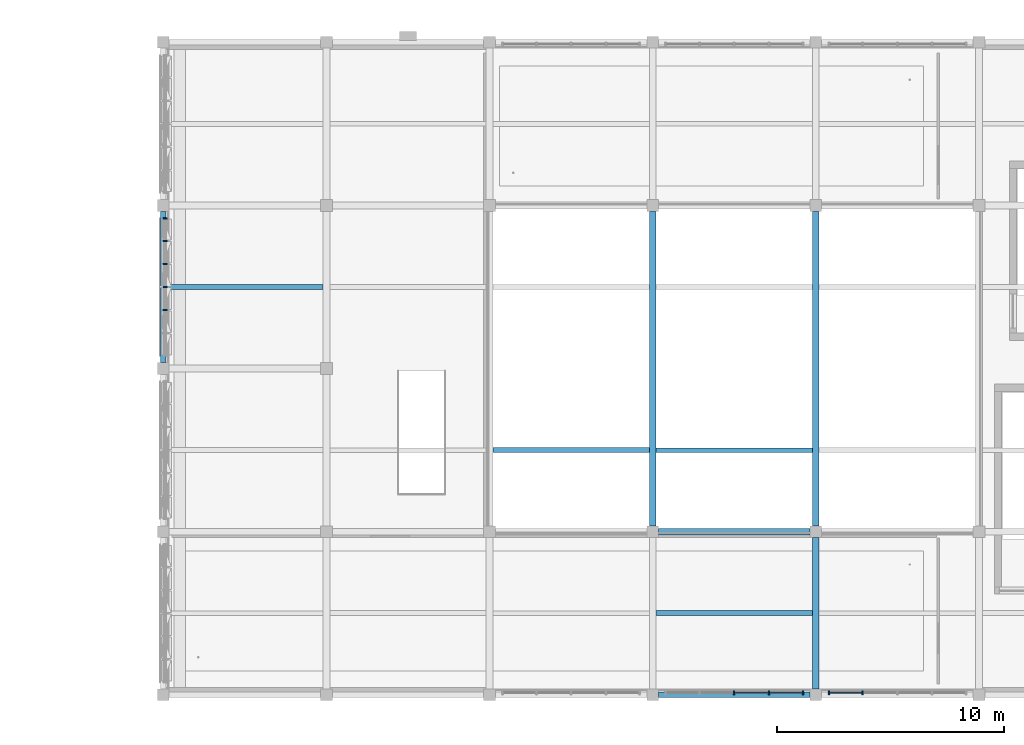
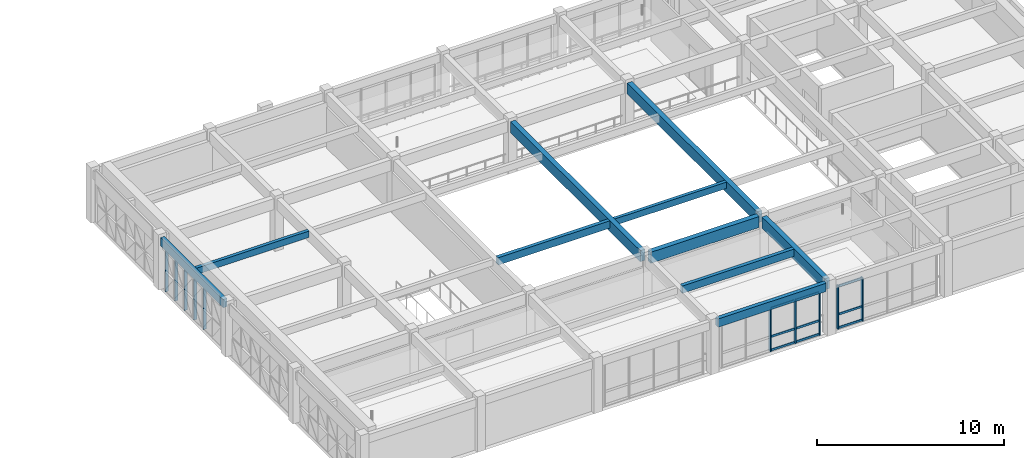
# One storey, part 10 of 74: 19 members, 10 beams, 3 elements without a shape of their own.
"""IFC4 building model written with IfcOpenShell, lengths in metres."""

from ifc_helpers import new_model, si_unit, direction, frame, origin, origin_2d, place, context, subcontext, project, spatial, rectangle, extrude, material, material_profile, profile_set, type_object, element, aggregate, save


model = new_model("IFC4")

# Units and contexts
model_context = context("Model", 3, precision=1e-05, world=origin(), true_north=direction((0.0, 1.0)))
body_context = subcontext(model_context, "Body", "Model", "MODEL_VIEW")
ifc_project = project(units=[si_unit("LENGTHUNIT", "METRE"), si_unit("AREAUNIT", "SQUARE_METRE"), si_unit("VOLUMEUNIT", "CUBIC_METRE"), si_unit("PLANEANGLEUNIT", "RADIAN"), si_unit("MASSUNIT", "GRAM", prefix="KILO")], contexts=[model_context])

# Site, building, storey
site_placement = place(None, origin())
site = spatial("IfcSite", under=ifc_project, at=site_placement, CompositionType="ELEMENT")
building_placement = place(site_placement, origin())
building = spatial("IfcBuilding", under=site, at=building_placement, Name="Alvorim Cloister Faculty of Sciences", CompositionType="ELEMENT")
storey_placement = place(building_placement, frame((0.0, 0.0, 15.75)))
storey = spatial("IfcBuildingStorey", under=building, at=storey_placement, Name="L04", CompositionType="ELEMENT", Elevation=15.75)

# Beams
ifc_material_1 = material(Name="Glulam GL32h", Category="wood")
ifc_material_profile_1 = material_profile(ifc_material_1, rectangle(XDim=0.300048828125, YDim=0.719970703125, at=origin_2d()), Name="GL32-BM-300x720")
ifc_profile_set_1 = profile_set([ifc_material_profile_1], Name="Glulam GL32h")
beam_type_1 = type_object("IfcBeamType", Name="BM-GL-300x720", PredefinedType="BEAM", material=ifc_profile_set_1)
beam_1_placement = place(storey_placement, frame((86.659912109375, 7.199951171875, 3.030029296875), z_axis=(1.0, 0.0, 0.0), x_axis=(0.0, 1.0, 0.0)))
element("IfcBeam", 1, at=beam_1_placement, inside=storey, type_object=beam_type_1, Name="L04 Primary Beam BM-1735", PredefinedType="BEAM", context=body_context, shape_type="SweptSolid", body=[
    extrude(rectangle(XDim=0.300048828125, YDim=0.719970703125, at=origin_2d()), origin(), (0.0, 0.0, 1.0), 6.68017578125),
])
beam_2_placement = place(storey_placement, frame((86.39990234375, 7.4599609375, 3.030029296875), z_axis=(0.0, 1.0, 0.0), x_axis=(-1.0, 0.0, 0.0)))
element("IfcBeam", 2, at=beam_2_placement, inside=storey, type_object=beam_type_1, Name="L04 Primary Girder BM-1875", PredefinedType="BEAM", context=body_context, shape_type="SweptSolid", body=[
    extrude(rectangle(XDim=0.300048828125, YDim=0.719970703125, at=origin_2d()), origin(), (0.0, 0.0, 1.0), 13.880126953125),
])
beam_3_placement = place(storey_placement, frame((93.60009765625, 0.260009765625, 3.030029296875), z_axis=(0.0, 1.0, 0.0), x_axis=(-1.0, 0.0, 0.0)))
element("IfcBeam", 3, at=beam_3_placement, inside=storey, type_object=beam_type_1, Name="L04 Primary Girder BM-1877", PredefinedType="BEAM", context=body_context, shape_type="SweptSolid", body=[
    extrude(rectangle(XDim=0.300048828125, YDim=0.719970703125, at=origin_2d()), origin(), (0.0, 0.0, 1.0), 6.679931640625),
])
beam_4_placement = place(storey_placement, frame((93.60009765625, 7.4599609375, 3.030029296875), z_axis=(0.0, 1.0, 0.0), x_axis=(-1.0, 0.0, 0.0)))
element("IfcBeam", 4, at=beam_4_placement, inside=storey, type_object=beam_type_1, Name="L04 Primary Girder BM-1878", PredefinedType="BEAM", context=body_context, shape_type="SweptSolid", body=[
    extrude(rectangle(XDim=0.300048828125, YDim=0.719970703125, at=origin_2d()), origin(), (0.0, 0.0, 1.0), 13.880126953125),
])
ifc_material_2 = material(Name="Glulam GL28h", Category="wood")
ifc_material_profile_2 = material_profile(ifc_material_2, rectangle(XDim=0.199951171875, YDim=0.419921875, at=origin_2d()), Name="GL28-JST-200x420")
ifc_profile_set_2 = profile_set([ifc_material_profile_2], Name="Glulam GL28h")
beam_type_2 = type_object("IfcBeamType", Name="BM-JST-GL-200x420", PredefinedType="JOIST", material=ifc_profile_set_2)
beam_5_placement = place(storey_placement, frame((64.919921875, 18.0, 3.179931640625), z_axis=(1.0, 0.0, 0.0), x_axis=(0.0, 1.0, 0.0)))
element("IfcBeam", 5, at=beam_5_placement, inside=storey, type_object=beam_type_2, Name="L04 Secondary Floor Joist BM-1939", PredefinedType="JOIST", context=body_context, shape_type="SweptSolid", body=[
    extrude(rectangle(XDim=0.199951171875, YDim=0.419921875, at=origin_2d()), origin(), (0.0, 0.0, 1.0), 6.93017578125),
])
beam_6_placement = place(storey_placement, frame((86.550048828125, 10.800048828125, 3.179931640625), z_axis=(1.0, 0.0, 0.0), x_axis=(0.0, 1.0, 0.0)))
element("IfcBeam", 6, at=beam_6_placement, inside=storey, type_object=beam_type_2, Name="L04 Secondary Floor Joist BM-1950", PredefinedType="JOIST", context=body_context, shape_type="SweptSolid", body=[
    extrude(rectangle(XDim=0.199951171875, YDim=0.419921875, at=origin_2d()), origin(), (0.0, 0.0, 1.0), 6.89990234375),
])
ifc_material_profile_3 = material_profile(ifc_material_2, rectangle(XDim=0.219970703125, YDim=0.47998046875, at=origin_2d()), Name="GL28-JST-220x480")
ifc_profile_set_3 = profile_set([ifc_material_profile_3], Name="Glulam GL28h")
beam_type_3 = type_object("IfcBeamType", Name="BM-JST-GL-220x480", PredefinedType="JOIST", material=ifc_profile_set_3)
for number, where, z_axis, x_axis, name in (
    (7, (79.35009765625, 10.800048828125, 3.14990234375), (1.0, 0.0, 0.0), (0.0, 1.0, 0.0), "L04 Secondary Floor Joist BM-1946"),
    (8, (86.550048828125, 3.60009765625, 3.14990234375), (1.0, 0.0, 0.0), (0.0, 1.0, 0.0), "L04 Secondary Floor Joist BM-1949"),
):
    element("IfcBeam", number, at=place(storey_placement, frame(where, z_axis=z_axis, x_axis=x_axis)), inside=storey, type_object=beam_type_3, Name=name, PredefinedType="JOIST", context=body_context, shape_type="SweptSolid", body=[
        extrude(rectangle(XDim=0.219970703125, YDim=0.47998046875, at=origin_2d()), origin(), (0.0, 0.0, 1.0), 6.89990234375),
    ])
ifc_material_profile_4 = material_profile(ifc_material_2, rectangle(XDim=0.239990234375, YDim=0.5400390625, at=origin_2d()), Name="GL28-SPD-240x540")
ifc_profile_set_4 = profile_set([ifc_material_profile_4], Name="Glulam GL28h")
beam_type_4 = type_object("IfcBeamType", Name="BM-SPD-GL-240x540", PredefinedType="SPANDREL", material=ifc_profile_set_4)
for number, where, z_axis, x_axis, name in (
    (9, (86.659912109375, 0.0, 3.1201171875), (1.0, 0.0, 0.0), (0.0, 1.0, 0.0), "L04 Primary Beam BM-1725"),
    (10, (64.800048828125, 14.659912109375, 3.1201171875), (0.0, 1.0, 0.0), (-1.0, 0.0, 0.0), "L04 Primary Girder BM-1865"),
):
    element("IfcBeam", number, at=place(storey_placement, frame(where, z_axis=z_axis, x_axis=x_axis)), inside=storey, type_object=beam_type_4, Name=name, PredefinedType="SPANDREL", context=body_context, shape_type="SweptSolid", body=[
        extrude(rectangle(XDim=0.239990234375, YDim=0.5400390625, at=origin_2d()), origin(), (0.0, 0.0, 1.0), 6.68017578125),
    ])

# Curtain wall, members
ifc_material_3 = material(Name="Aluminium and Low-E Glass Curtain Wall", Category="aluminium")
curtain_wall_type_1 = type_object("IfcCurtainWallType", Name="CW-GLZ-6120x2850", PredefinedType="USERDEFINED", material=ifc_material_3)
curtain_wall_1_placement = place(storey_placement, origin())
curtain_wall_1 = element("IfcCurtainWall", 11, at=curtain_wall_1_placement, inside=storey, type_object=curtain_wall_type_1, Name="L04 Entrance and Atrium Glazed Curtain Wall CW-0203", ObjectType="UNITISED CURTAIN WALL", PredefinedType="USERDEFINED")
ifc_material_4 = material(Name="Aluminium Alloy 6063-T6", Category="aluminium")
ifc_material_profile_5 = material_profile(ifc_material_4, rectangle(XDim=0.06494140625, YDim=0.179931640625, at=origin_2d()), Name="ALU-MUL-65x180")
ifc_profile_set_5 = profile_set([ifc_material_profile_5], Name="Aluminium Alloy 6063-T6")
member_type_1 = type_object("IfcMemberType", Name="CW-MUL-65x180", PredefinedType="MULLION", material=ifc_profile_set_5)
member_1_placement = place(storey_placement, frame((94.172607421875, 0.090087890625, 0.0), z_axis=(0.0, 0.0, 1.0), x_axis=(1.0, 0.0, 0.0)))
member_1 = element("IfcMember", 12, at=member_1_placement, type_object=member_type_1, Name="CW-10 mullion 1", PredefinedType="MULLION", context=body_context, shape_type="SweptSolid", body=[
    extrude(rectangle(XDim=0.06494140625, YDim=0.179931640625, at=origin_2d()), origin(), (0.0, 0.0, 1.0), 2.85009765625),
])
member_2_placement = place(storey_placement, frame((95.669921875, 0.090087890625, 0.0), z_axis=(0.0, 0.0, 1.0), x_axis=(1.0, 0.0, 0.0)))
member_2 = element("IfcMember", 13, at=member_2_placement, type_object=member_type_1, Name="CW-10 mullion 2", PredefinedType="MULLION", context=body_context, shape_type="SweptSolid", body=[
    extrude(rectangle(XDim=0.06494140625, YDim=0.179931640625, at=origin_2d()), origin(), (0.0, 0.0, 1.0), 2.85009765625),
])

curtain_wall_2_placement = place(storey_placement, origin())
curtain_wall_2 = element("IfcCurtainWall", 14, at=curtain_wall_2_placement, inside=storey, type_object=curtain_wall_type_1, Name="L04 Entrance and Atrium Glazed Curtain Wall CW-0204", ObjectType="UNITISED CURTAIN WALL", PredefinedType="USERDEFINED")
member_3_placement = place(storey_placement, frame((90.0, 0.090087890625, 0.0), z_axis=(0.0, 0.0, 1.0), x_axis=(1.0, 0.0, 0.0)))
member_3 = element("IfcMember", 15, at=member_3_placement, type_object=member_type_1, Name="CW-10 mullion 3", PredefinedType="MULLION", context=body_context, shape_type="SweptSolid", body=[
    extrude(rectangle(XDim=0.06494140625, YDim=0.179931640625, at=origin_2d()), origin(), (0.0, 0.0, 1.0), 2.85009765625),
])
member_4_placement = place(storey_placement, frame((91.530029296875, 0.090087890625, 0.0), z_axis=(0.0, 0.0, 1.0), x_axis=(1.0, 0.0, 0.0)))
member_4 = element("IfcMember", 16, at=member_4_placement, type_object=member_type_1, Name="CW-10 mullion 4", PredefinedType="MULLION", context=body_context, shape_type="SweptSolid", body=[
    extrude(rectangle(XDim=0.06494140625, YDim=0.179931640625, at=origin_2d()), origin(), (0.0, 0.0, 1.0), 2.85009765625),
])
member_5_placement = place(storey_placement, frame((93.027587890625, 0.090087890625, 0.0), z_axis=(0.0, 0.0, 1.0), x_axis=(1.0, 0.0, 0.0)))
member_5 = element("IfcMember", 17, at=member_5_placement, type_object=member_type_1, Name="CW-10 mullion 5", PredefinedType="MULLION", context=body_context, shape_type="SweptSolid", body=[
    extrude(rectangle(XDim=0.06494140625, YDim=0.179931640625, at=origin_2d()), origin(), (0.0, 0.0, 1.0), 2.85009765625),
])

curtain_wall_type_2 = type_object("IfcCurtainWallType", Name="CW-TRI-6120x2850", PredefinedType="USERDEFINED", material=ifc_material_3)
curtain_wall_3_placement = place(storey_placement, origin())
curtain_wall_3 = element("IfcCurtainWall", 18, at=curtain_wall_3_placement, inside=storey, type_object=curtain_wall_type_2, Name="L04 Diagonal Cassette Curtain Wall CW-0208", ObjectType="UNITISED CURTAIN WALL", PredefinedType="USERDEFINED")
member_6_placement = place(storey_placement, frame((64.889892578125, 16.97998046875, 0.0), z_axis=(0.0, 0.0, 1.0), x_axis=(0.0, 1.0, 0.0)))
member_6 = element("IfcMember", 19, at=member_6_placement, type_object=member_type_1, Name="CW-0208 Mullion 3", PredefinedType="MULLION", context=body_context, shape_type="SweptSolid", body=[
    extrude(rectangle(XDim=0.06494140625, YDim=0.179931640625, at=origin_2d()), origin(), (0.0, 0.0, 1.0), 2.85009765625),
])
member_7_placement = place(storey_placement, frame((64.889892578125, 18.0, 0.0), z_axis=(0.0, 0.0, 1.0), x_axis=(0.0, 1.0, 0.0)))
member_7 = element("IfcMember", 20, at=member_7_placement, type_object=member_type_1, Name="CW-0208 Mullion 4", PredefinedType="MULLION", context=body_context, shape_type="SweptSolid", body=[
    extrude(rectangle(XDim=0.06494140625, YDim=0.179931640625, at=origin_2d()), origin(), (0.0, 0.0, 1.0), 2.85009765625),
])
member_8_placement = place(storey_placement, frame((64.889892578125, 19.02001953125, 0.0), z_axis=(0.0, 0.0, 1.0), x_axis=(0.0, 1.0, 0.0)))
member_8 = element("IfcMember", 21, at=member_8_placement, type_object=member_type_1, Name="CW-0208 Mullion 5", PredefinedType="MULLION", context=body_context, shape_type="SweptSolid", body=[
    extrude(rectangle(XDim=0.06494140625, YDim=0.179931640625, at=origin_2d()), origin(), (0.0, 0.0, 1.0), 2.85009765625),
])
member_9_placement = place(storey_placement, frame((64.889892578125, 20.0400390625, 0.0), z_axis=(0.0, 0.0, 1.0), x_axis=(0.0, 1.0, 0.0)))
member_9 = element("IfcMember", 22, at=member_9_placement, type_object=member_type_1, Name="CW-0208 Mullion 6", PredefinedType="MULLION", context=body_context, shape_type="SweptSolid", body=[
    extrude(rectangle(XDim=0.06494140625, YDim=0.179931640625, at=origin_2d()), origin(), (0.0, 0.0, 1.0), 2.85009765625),
])
member_10_placement = place(storey_placement, frame((64.889892578125, 21.027587890625, 0.0), z_axis=(0.0, 0.0, 1.0), x_axis=(0.0, 1.0, 0.0)))
member_10 = element("IfcMember", 23, at=member_10_placement, type_object=member_type_1, Name="CW-0208 Mullion 7", PredefinedType="MULLION", context=body_context, shape_type="SweptSolid", body=[
    extrude(rectangle(XDim=0.06494140625, YDim=0.179931640625, at=origin_2d()), origin(), (0.0, 0.0, 1.0), 2.85009765625),
])
aggregate(curtain_wall_3, [member_6, member_7, member_8, member_9, member_10])

# Member
ifc_material_profile_6 = material_profile(ifc_material_4, rectangle(XDim=0.06494140625, YDim=0.139892578125, at=origin_2d()), Name="ALU-TRN-65x140")
ifc_profile_set_6 = profile_set([ifc_material_profile_6], Name="Aluminium Alloy 6063-T6")
member_type_2 = type_object("IfcMemberType", Name="CW-TRN-65x140", PredefinedType="USERDEFINED", material=ifc_profile_set_6)
member_11_placement = place(storey_placement, frame((94.205078125, 0.090087890625, 0.070068359375), z_axis=(1.0, 0.0, 0.0), x_axis=(0.0, 1.0, 0.0)))
member_11 = element("IfcMember", 24, at=member_11_placement, type_object=member_type_2, Name="CW-10 transom 1.1", ObjectType="TRANSOM", PredefinedType="USERDEFINED", context=body_context, shape_type="SweptSolid", body=[
    extrude(rectangle(XDim=0.06494140625, YDim=0.139892578125, at=origin_2d()), origin(), (0.0, 0.0, 1.0), 1.432373046875),
])

member_12_placement = place(storey_placement, frame((94.205078125, 0.090087890625, 0.949951171875), z_axis=(1.0, 0.0, 0.0), x_axis=(0.0, 1.0, 0.0)))
member_12 = element("IfcMember", 25, at=member_12_placement, type_object=member_type_2, Name="CW-10 transom 1.2", ObjectType="TRANSOM", PredefinedType="USERDEFINED", context=body_context, shape_type="SweptSolid", body=[
    extrude(rectangle(XDim=0.06494140625, YDim=0.139892578125, at=origin_2d()), origin(), (0.0, 0.0, 1.0), 1.432373046875),
])

member_13_placement = place(storey_placement, frame((94.205078125, 0.090087890625, 2.780029296875), z_axis=(1.0, 0.0, 0.0), x_axis=(0.0, 1.0, 0.0)))
member_13 = element("IfcMember", 26, at=member_13_placement, type_object=member_type_2, Name="CW-10 transom 1.3", ObjectType="TRANSOM", PredefinedType="USERDEFINED", context=body_context, shape_type="SweptSolid", body=[
    extrude(rectangle(XDim=0.06494140625, YDim=0.139892578125, at=origin_2d()), origin(), (0.0, 0.0, 1.0), 1.432373046875),
])

aggregate(curtain_wall_1, [member_1, member_2, member_11, member_12, member_13])

member_14_placement = place(storey_placement, frame((90.032470703125, 0.090087890625, 0.070068359375), z_axis=(1.0, 0.0, 0.0), x_axis=(0.0, 1.0, 0.0)))
member_14 = element("IfcMember", 27, at=member_14_placement, type_object=member_type_2, Name="CW-10 transom 3.1", ObjectType="TRANSOM", PredefinedType="USERDEFINED", context=body_context, shape_type="SweptSolid", body=[
    extrude(rectangle(XDim=0.06494140625, YDim=0.139892578125, at=origin_2d()), origin(), (0.0, 0.0, 1.0), 1.465087890625),
])

member_15_placement = place(storey_placement, frame((90.032470703125, 0.090087890625, 0.949951171875), z_axis=(1.0, 0.0, 0.0), x_axis=(0.0, 1.0, 0.0)))
member_15 = element("IfcMember", 28, at=member_15_placement, type_object=member_type_2, Name="CW-10 transom 3.2", ObjectType="TRANSOM", PredefinedType="USERDEFINED", context=body_context, shape_type="SweptSolid", body=[
    extrude(rectangle(XDim=0.06494140625, YDim=0.139892578125, at=origin_2d()), origin(), (0.0, 0.0, 1.0), 1.465087890625),
])

member_16_placement = place(storey_placement, frame((90.032470703125, 0.090087890625, 2.780029296875), z_axis=(1.0, 0.0, 0.0), x_axis=(0.0, 1.0, 0.0)))
member_16 = element("IfcMember", 29, at=member_16_placement, type_object=member_type_2, Name="CW-10 transom 3.3", ObjectType="TRANSOM", PredefinedType="USERDEFINED", context=body_context, shape_type="SweptSolid", body=[
    extrude(rectangle(XDim=0.06494140625, YDim=0.139892578125, at=origin_2d()), origin(), (0.0, 0.0, 1.0), 1.465087890625),
])

member_17_placement = place(storey_placement, frame((91.5625, 0.090087890625, 0.070068359375), z_axis=(1.0, 0.0, 0.0), x_axis=(0.0, 1.0, 0.0)))
member_17 = element("IfcMember", 30, at=member_17_placement, type_object=member_type_2, Name="CW-10 transom 4.1", ObjectType="TRANSOM", PredefinedType="USERDEFINED", context=body_context, shape_type="SweptSolid", body=[
    extrude(rectangle(XDim=0.06494140625, YDim=0.139892578125, at=origin_2d()), origin(), (0.0, 0.0, 1.0), 1.4326171875),
])

member_18_placement = place(storey_placement, frame((91.5625, 0.090087890625, 0.949951171875), z_axis=(1.0, 0.0, 0.0), x_axis=(0.0, 1.0, 0.0)))
member_18 = element("IfcMember", 31, at=member_18_placement, type_object=member_type_2, Name="CW-10 transom 4.2", ObjectType="TRANSOM", PredefinedType="USERDEFINED", context=body_context, shape_type="SweptSolid", body=[
    extrude(rectangle(XDim=0.06494140625, YDim=0.139892578125, at=origin_2d()), origin(), (0.0, 0.0, 1.0), 1.4326171875),
])

member_19_placement = place(storey_placement, frame((91.5625, 0.090087890625, 2.780029296875), z_axis=(1.0, 0.0, 0.0), x_axis=(0.0, 1.0, 0.0)))
member_19 = element("IfcMember", 32, at=member_19_placement, type_object=member_type_2, Name="CW-10 transom 4.3", ObjectType="TRANSOM", PredefinedType="USERDEFINED", context=body_context, shape_type="SweptSolid", body=[
    extrude(rectangle(XDim=0.06494140625, YDim=0.139892578125, at=origin_2d()), origin(), (0.0, 0.0, 1.0), 1.4326171875),
])

aggregate(curtain_wall_2, [member_3, member_4, member_5, member_14, member_15, member_16, member_17, member_18, member_19])

save(model, "model.ifc")
